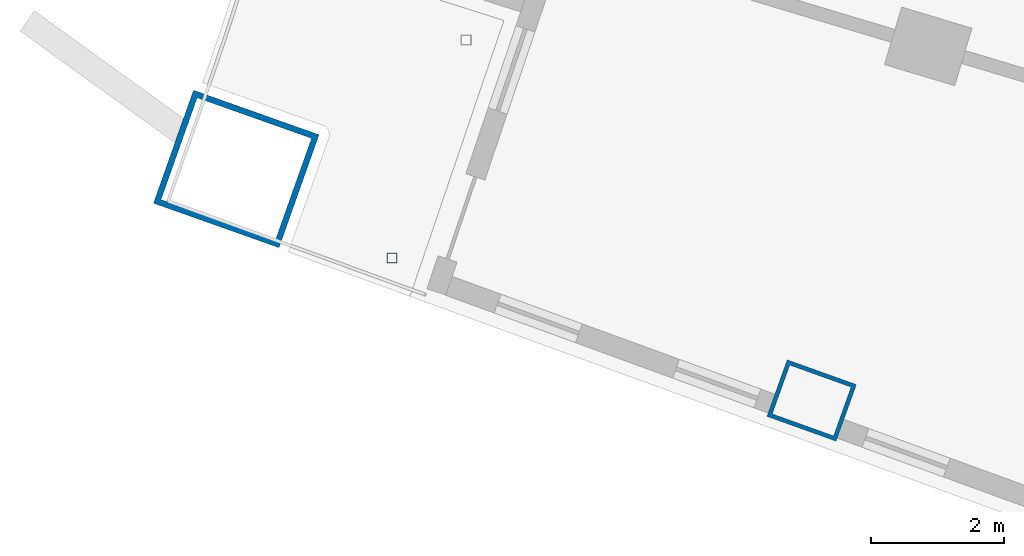
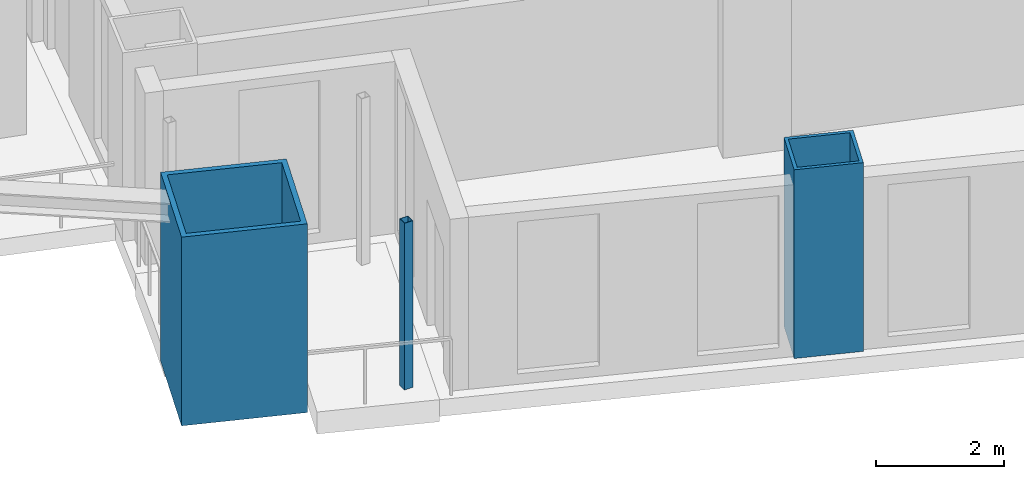
# One storey, part 1 of 25: 3 columns.
"""IFC4 building model written with IfcOpenShell, lengths in metres."""

from ifc_helpers import new_model, si_unit, direction, frame, origin, origin_2d, place, context, subcontext, project, spatial, hollow_rectangle, extrude, material, material_profile, profile_set, type_object, element, save


model = new_model("IFC4")

# Units and contexts
model_context = context("Model", 3, precision=1e-05, world=origin(), true_north=direction((0.0, 1.0)))
body_context = subcontext(model_context, "Body", "Model", "MODEL_VIEW")
ifc_project = project(units=[si_unit("LENGTHUNIT", "METRE"), si_unit("AREAUNIT", "SQUARE_METRE"), si_unit("VOLUMEUNIT", "CUBIC_METRE"), si_unit("PLANEANGLEUNIT", "RADIAN"), si_unit("MASSUNIT", "GRAM", prefix="KILO")], contexts=[model_context])

# Site, building, storey
site_placement = place(None, origin())
site = spatial("IfcSite", under=ifc_project, at=site_placement, CompositionType="ELEMENT")
building_placement = place(site_placement, origin())
building = spatial("IfcBuilding", under=site, at=building_placement, Name="Alderwake Tower", CompositionType="ELEMENT")
storey_placement = place(building_placement, frame((0.0, 0.0, 46.39990234375)))
storey = spatial("IfcBuildingStorey", under=building, at=storey_placement, Name="L10", CompositionType="ELEMENT", Elevation=46.39990234375)

# Columns
ifc_material_1 = material(Name="Steel ASTM A572 Grade 50 concrete filled C70/85", Category="concrete")
ifc_material_profile_1 = material_profile(ifc_material_1, hollow_rectangle(XDim=0.89990234375, YDim=1.10009765625, WallThickness=0.06005859375, at=origin_2d()), Name="BOX 1100X900X60")
ifc_profile_set_1 = profile_set([ifc_material_profile_1], Name="Steel ASTM A572 Grade 50 concrete filled C70/85")
column_type_1 = type_object("IfcColumnType", Name="End column Z1", PredefinedType="COLUMN", material=ifc_profile_set_1)
column_1_placement = place(storey_placement, frame((19.965576171875, 25.1484375, 0.0), z_axis=(0.0, 0.0, 1.0), x_axis=(0.337584879279, 0.9412950915, 0.0)))
element("IfcColumn", 1, at=column_1_placement, inside=storey, type_object=column_type_1, Name="Column R01-C1", PredefinedType="COLUMN", context=body_context, shape_type="SweptSolid", body=[
    extrude(hollow_rectangle(XDim=0.89990234375, YDim=1.10009765625, WallThickness=0.06005859375, at=origin_2d()), origin(), (0.0, 0.0, 1.0), 3.60009765625),
])
ifc_material_2 = material(Name="Steel ASTM A500 Grade C", Category="steel")
ifc_material_profile_2 = material_profile(ifc_material_2, hollow_rectangle(XDim=0.15234375, YDim=0.15234375, WallThickness=0.0087890625, at=origin_2d()), Name="HSS6X6X3/8")
ifc_profile_set_2 = profile_set([ifc_material_profile_2], Name="Steel ASTM A500 Grade C")
column_type_2 = type_object("IfcColumnType", Name="Light post HSS6X6X3/8", PredefinedType="COLUMN", material=ifc_profile_set_2)
column_2_placement = place(storey_placement, frame((13.66796875, 27.28759765625, 0.0), z_axis=(0.0, 0.0, 1.0), x_axis=(1.0, 0.0, 0.0)))
element("IfcColumn", 2, at=column_2_placement, inside=storey, type_object=column_type_2, Name="Terrace post RS2", PredefinedType="COLUMN", context=body_context, shape_type="SweptSolid", body=[
    extrude(hollow_rectangle(XDim=0.15234375, YDim=0.15234375, WallThickness=0.0087890625, at=origin_2d()), origin(), (0.0, 0.0, 1.0), 3.18017578125),
])
ifc_material_3 = material(Name="Steel ASTM A572 Grade 50 concrete filled C70/85", Category="concrete")
ifc_material_profile_3 = material_profile(ifc_material_3, hollow_rectangle(XDim=1.800048828125, YDim=2.0, WallThickness=0.090087890625, at=origin_2d()), Name="BOX 2000X1800X90")
ifc_profile_set_3 = profile_set([ifc_material_profile_3], Name="Steel ASTM A572 Grade 50 concrete filled C70/85")
column_type_3 = type_object("IfcColumnType", Name="Mega column Z1", PredefinedType="COLUMN", material=ifc_profile_set_3)
column_3_placement = place(storey_placement, frame((11.330810546875, 28.622802734375, 0.0), z_axis=(0.0, 0.0, 1.0), x_axis=(0.334130947791, 0.942526662609, 0.0)))
element("IfcColumn", 3, at=column_3_placement, inside=storey, type_object=column_type_3, Name="Column R01-C0", PredefinedType="COLUMN", context=body_context, shape_type="SweptSolid", body=[
    extrude(hollow_rectangle(XDim=1.800048828125, YDim=2.0, WallThickness=0.090087890625, at=origin_2d()), origin(), (0.0, 0.0, 1.0), 3.60009765625),
])

save(model, "model.ifc")
